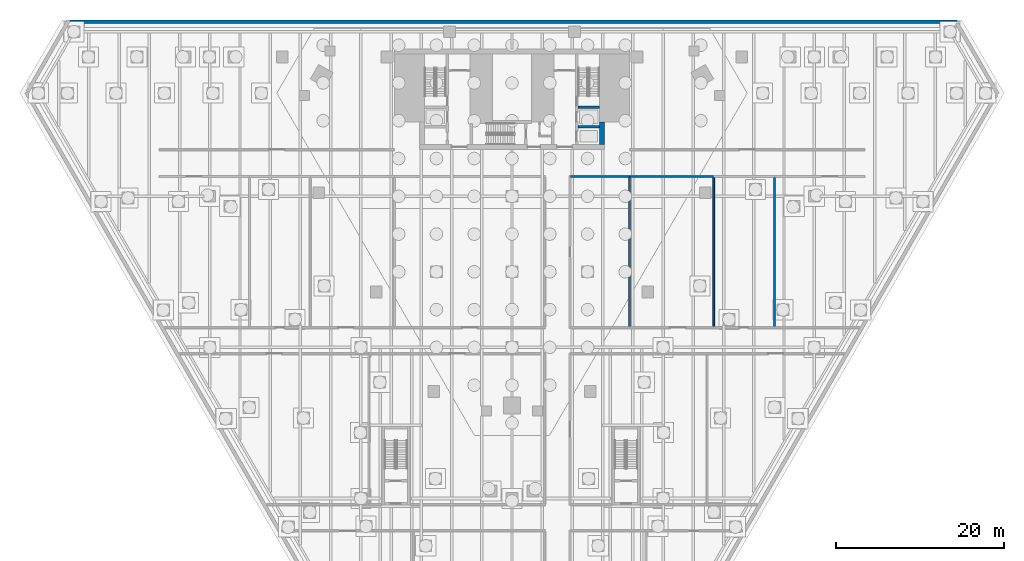
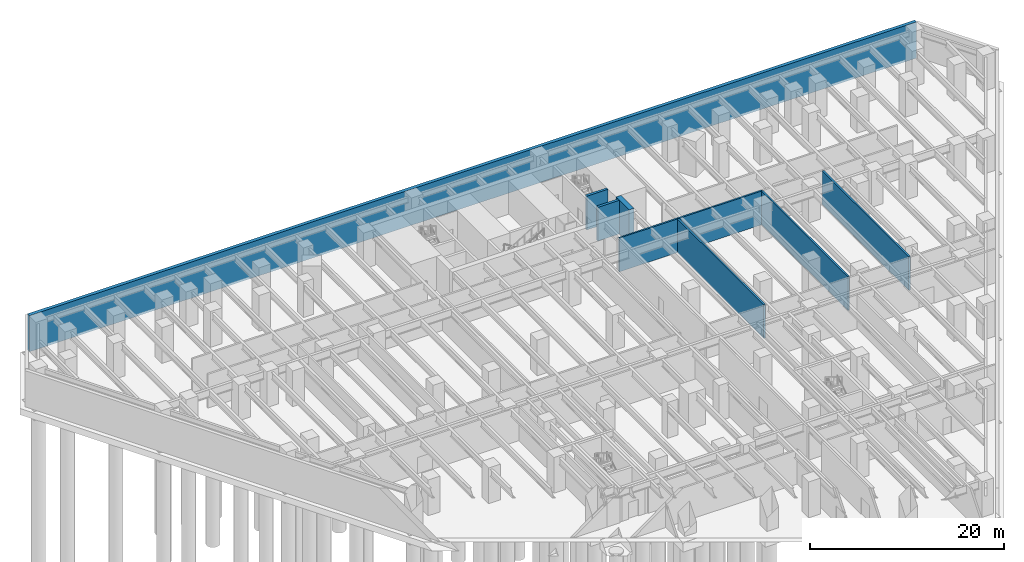
# One storey, part 13 of 18: 9 walls.
"""IFC4 building model written with IfcOpenShell, lengths in metres."""

import ifcopenshell
import ifcopenshell.guid

model = None  # the IFC model being written
_history = None  # IfcOwnerHistory: only IFC2X3 demands one
_inside = {}  # id of a spatial element -> (the spatial element, [elements in it])
_under = {}  # id of a project, library or spatial element -> (it, [spatial elements below it])
_declared = {}  # id of a project -> (the project, [libraries it declares])
_typed = {}  # id of a type object -> (the type object, [elements of that type])
_made_of = {}  # id of a material, layer set ... -> (it, [elements and type objects made of it])


def new_model(schema):
    """Start an empty IFC model of exactly this schema.

    Asked for "IFC4X3", IfcOpenShell would pick the latest addendum, in which some entities
    have other attributes; the version numbers below select the first issue.
    IFC2X3 requires an IfcOwnerHistory on every rooted entity: one is made here for all.
    """
    global model, _history
    if schema == "IFC4X3":
        model = ifcopenshell.file(schema_version=(4, 3, 0, 0))
    else:
        model = ifcopenshell.file(schema=schema)
    _inside.clear()
    _under.clear()
    _declared.clear()
    _typed.clear()
    _made_of.clear()
    _history = None
    if model.schema == "IFC2X3":
        org = make("IfcOrganization", Name="unknown")
        user = make(
            "IfcPersonAndOrganization",
            ThePerson=make("IfcPerson", FamilyName="unknown"),
            TheOrganization=org,
        )
        app = make(
            "IfcApplication",
            ApplicationDeveloper=org,
            Version="unknown",
            ApplicationFullName="unknown",
            ApplicationIdentifier="unknown",
        )
        _history = make(
            "IfcOwnerHistory",
            OwningUser=user,
            OwningApplication=app,
            ChangeAction="ADDED",
            CreationDate=0,
        )
    return model


def make(cls, **values):
    """One entity of the class cls with the attributes given. An attribute that is None is left unset."""
    return model.create_entity(
        cls, **{name: value for name, value in values.items() if value is not None}
    )


def rooted(cls, **values):
    """An entity with a GlobalId (a new one), such as an element, a storey or a relation."""
    return make(cls, GlobalId=ifcopenshell.guid.new(), OwnerHistory=_history, **values)


def si_unit(unit_type, name, prefix=None):
    """IfcSIUnit, for example si_unit("LENGTHUNIT", "METRE", prefix="MILLI")."""
    return make("IfcSIUnit", UnitType=unit_type, Prefix=prefix, Name=name)


def assignment(units):
    """IfcUnitAssignment: the units of a project."""
    return None if units is None else make("IfcUnitAssignment", Units=units)


def point(xyz):
    """IfcCartesianPoint."""
    return None if xyz is None else make("IfcCartesianPoint", Coordinates=xyz)


def direction(xyz):
    """IfcDirection."""
    return None if xyz is None else make("IfcDirection", DirectionRatios=xyz)


def frame(location, z_axis=None, x_axis=None):
    """IfcAxis2Placement3D, a coordinate frame: its origin and axes. An axis left out is left unset."""
    return make(
        "IfcAxis2Placement3D",
        Location=point(location),
        Axis=direction(z_axis),
        RefDirection=direction(x_axis),
    )


def frame_2d(location, x_axis=None):
    """IfcAxis2Placement2D, a coordinate frame in the plane: its origin and x axis."""
    return make(
        "IfcAxis2Placement2D", Location=point(location), RefDirection=direction(x_axis)
    )


def origin():
    """The frame at (0, 0, 0) with its axes left unset."""
    return frame((0.0, 0.0, 0.0))


def place(relative_to, where):
    """IfcLocalPlacement: puts the frame where relative to a parent placement (None: the world)."""
    return make(
        "IfcLocalPlacement", PlacementRelTo=relative_to, RelativePlacement=where
    )


def context(
    kind, dimensions, precision=None, world=None, true_north=None, identifier=None
):
    """IfcGeometricRepresentationContext, for example the 3D "Model" context."""
    return make(
        "IfcGeometricRepresentationContext",
        ContextIdentifier=identifier,
        ContextType=kind,
        CoordinateSpaceDimension=dimensions,
        Precision=precision,
        WorldCoordinateSystem=world,
        TrueNorth=true_north,
    )


def subcontext(parent, identifier, kind, view, scale=None):
    """IfcGeometricRepresentationSubContext, for example "Body" below "Model"."""
    return make(
        "IfcGeometricRepresentationSubContext",
        ContextIdentifier=identifier,
        ContextType=kind,
        ParentContext=parent,
        TargetScale=scale,
        TargetView=view,
    )


def project(units=None, contexts=None):
    """IfcProject with its units and contexts."""
    return rooted(
        "IfcProject",
        Name="project",
        RepresentationContexts=contexts,
        UnitsInContext=assignment(units),
    )


def spatial(cls, under=None, at=None, **own):
    """A site, building, storey or space (cls), placed at a placement, below another one or the project."""
    s = rooted(cls, ObjectPlacement=at, **own)
    if under is not None:
        _under.setdefault(under.id(), (under, []))[1].append(s)
    return s


def profile(cls, at=None, kind="AREA", **sizes):
    """A parametric profile (cls). Its sizes go by their IFC names, for example OverallWidth=200.0."""
    return make(cls, ProfileType=kind, Position=at, **sizes)


def rectangle(**sizes):
    """IfcRectangleProfileDef."""
    return profile("IfcRectangleProfileDef", **sizes)


def extrude(swept, where, along, depth):
    """IfcExtrudedAreaSolid: the profile swept, set in the frame where, extruded along a direction by depth."""
    return make(
        "IfcExtrudedAreaSolid",
        SweptArea=swept,
        Position=where,
        ExtrudedDirection=direction(along),
        Depth=depth,
    )


def shape(context_of_items, identifier, shape_type, items):
    """IfcShapeRepresentation: the items that make up one representation, for example the "Body"."""
    return make(
        "IfcShapeRepresentation",
        ContextOfItems=context_of_items,
        RepresentationIdentifier=identifier,
        RepresentationType=shape_type,
        Items=items,
    )


def material(Name=None, Category=None):
    """IfcMaterial."""
    return make("IfcMaterial", Name=Name, Category=Category)


def layer(
    of_material, thickness, ventilated=None, Name=None, Category=None, Priority=None
):
    """IfcMaterialLayer: one layer of a wall or slab, of a material (None: an air gap)."""
    return make(
        "IfcMaterialLayer",
        Material=of_material,
        LayerThickness=thickness,
        IsVentilated=ventilated,
        Name=Name,
        Category=Category,
        Priority=Priority,
    )


def layer_set(layers, Name=None):
    """IfcMaterialLayerSet."""
    return make("IfcMaterialLayerSet", MaterialLayers=layers, LayerSetName=Name)


def made_of(thing, what):
    """Note that an element or type object is made of a material, layer set ...; save() writes the relation."""
    if what is not None:
        _made_of.setdefault(what.id(), (what, []))[1].append(thing)
    return thing


def type_object(cls, material=None, **own):
    """A type object (cls), such as IfcWallType, which elements share."""
    return made_of(rooted(cls, **own), material)


def element(
    cls,
    number,
    at=None,
    inside=None,
    cuts=None,
    type_object=None,
    material=None,
    context=None,
    identifier="Body",
    shape_type=None,
    held_by="IfcProductDefinitionShape",
    body=None,
    shapes=None,
    **own,
):
    """One element of the class cls, such as IfcWall. Its Tag is "e" and its number.

    at: its placement. inside: the storey or other place that contains it. cuts: it is an
    opening in that element (IfcRelVoidsElement). A single representation is given by context,
    identifier, shape_type and body (its items); several are given by shapes. held_by: the class
    of the entity that holds the representations. save() writes the other relations.
    """
    e = rooted(cls, Tag="e%d" % number, ObjectPlacement=at, **own)
    if body is not None:
        shapes = [shape(context, identifier, shape_type, body)]
    if shapes is not None:
        e.Representation = make(held_by, Representations=shapes)
    if inside is not None:
        _inside.setdefault(inside.id(), (inside, []))[1].append(e)
    if cuts is not None:
        rooted(
            "IfcRelVoidsElement", RelatingBuildingElement=cuts, RelatedOpeningElement=e
        )
    if type_object is not None:
        _typed.setdefault(type_object.id(), (type_object, []))[1].append(e)
    return made_of(e, material)


def aggregate(whole, parts):
    """IfcRelAggregates: a whole, such as a stair, and the parts it consists of."""
    return rooted("IfcRelAggregates", RelatingObject=whole, RelatedObjects=parts)


def save(model, path):
    """Write the relations noted so far, then the file.

    IfcRelAggregates (storeys below a building ...), IfcRelContainedInSpatialStructure (elements
    in a storey), IfcRelDefinesByType, IfcRelAssociatesMaterial and IfcRelDeclares: one each for
    every whole, place, type object, material and project.
    """
    for whole, parts in _under.values():
        aggregate(whole, parts)
    for where, things in _inside.values():
        rooted(
            "IfcRelContainedInSpatialStructure",
            RelatedElements=things,
            RelatingStructure=where,
        )
    for kind, things in _typed.values():
        rooted("IfcRelDefinesByType", RelatedObjects=things, RelatingType=kind)
    for what, things in _made_of.values():
        rooted("IfcRelAssociatesMaterial", RelatedObjects=things, RelatingMaterial=what)
    for by, libraries in _declared.values():
        rooted("IfcRelDeclares", RelatingContext=by, RelatedDefinitions=libraries)
    model.write(path)


model = new_model("IFC4")

# Units and contexts
model_context = context("Model", 3, precision=1e-05, world=origin(), true_north=direction((0.0, 1.0)))
body_context = subcontext(model_context, "Body", "Model", "MODEL_VIEW")
ifc_project = project(units=[si_unit("LENGTHUNIT", "METRE"), si_unit("AREAUNIT", "SQUARE_METRE"), si_unit("VOLUMEUNIT", "CUBIC_METRE"), si_unit("PLANEANGLEUNIT", "RADIAN"), si_unit("MASSUNIT", "GRAM", prefix="KILO")], contexts=[model_context])

# Site, building, storey
site_placement = place(None, origin())
site = spatial("IfcSite", under=ifc_project, at=site_placement, CompositionType="ELEMENT")
building_placement = place(site_placement, origin())
building = spatial("IfcBuilding", under=site, at=building_placement, Name="Aloe Facet Convention Tower", CompositionType="ELEMENT")
storey_placement = place(building_placement, frame((0.0, 0.0, -9.0)))
storey = spatial("IfcBuildingStorey", under=building, at=storey_placement, Name="B2", CompositionType="ELEMENT", Elevation=-9.0)

# Walls
ifc_material_1 = material(Name="Concrete C80/95", Category="concrete")
ifc_layer_1 = layer(ifc_material_1, 0.300048828125)
ifc_layer_set_1 = layer_set([ifc_layer_1], Name="CR-W-RC300-C8095")
wall_type_1 = type_object("IfcWallType", Name="CR-W-RC300-C8095", PredefinedType="SOLIDWALL", material=ifc_layer_set_1)
for number, where, z_axis, x_axis, name in (
    (1, (87.85009765625, 127.60009765625, 0.0), (0.0, 0.0, 1.0), (1.0, 0.0, 0.0), "Core wall B2-019"),
    (2, (87.85009765625, 125.300048828125, 0.0), (0.0, 0.0, 1.0), (1.0, 0.0, 0.0), "Core wall B2-020"),
):
    element("IfcWall", number, at=place(storey_placement, frame(where, z_axis=z_axis, x_axis=x_axis)), inside=storey, type_object=wall_type_1, Name=name, PredefinedType="SOLIDWALL", context=body_context, shape_type="SweptSolid", body=[
        extrude(rectangle(XDim=2.5498046875, YDim=0.300048828125, at=frame_2d((1.27490234375, 0.0))), origin(), (0.0, 0.0, 1.0), 4.25),
    ])
ifc_material_2 = material(Name="Concrete C80/95", Category="concrete")
ifc_layer_2 = layer(ifc_material_2, 0.60009765625)
ifc_layer_set_2 = layer_set([ifc_layer_2], Name="CR-W-RC600-C8095")
wall_type_2 = type_object("IfcWallType", Name="CR-W-RC600-C8095", PredefinedType="SOLIDWALL", material=ifc_layer_set_2)
wall_1_placement = place(storey_placement, frame((90.699951171875, 125.85009765625, 0.0), z_axis=(0.0, 0.0, 1.0), x_axis=(0.0, -1.0, 0.0)))
element("IfcWall", 3, at=wall_1_placement, inside=storey, type_object=wall_type_2, Name="Core wall B2-022", PredefinedType="SOLIDWALL", context=body_context, shape_type="SweptSolid", body=[
    extrude(rectangle(XDim=2.7001953125, YDim=0.60009765625, at=frame_2d((1.35009765625, 0.0))), origin(), (0.0, 0.0, 1.0), 4.25),
])
ifc_material_3 = material(Name="Masonry blockwork wall, plastered", Category="masonry")
ifc_layer_3 = layer(ifc_material_3, 0.199951171875)
ifc_layer_set_3 = layer_set([ifc_layer_3], Name="IN-POD-W-PLANT")
wall_type_3 = type_object("IfcWallType", Name="IN-POD-W-PLANT", PredefinedType="PARTITIONING", material=ifc_layer_set_3)
for number, where, z_axis, x_axis, name in (
    (4, (94.0, 101.43505859375, 0.0), (0.0, 0.0, 1.0), (0.0, 1.0, 0.0), "Partition B2-W041"),
    (5, (104.033203125, 101.43505859375, 0.0), (0.0, 0.0, 1.0), (0.0, 1.0, 0.0), "Partition B2-W043"),
    (6, (111.2666015625, 101.43505859375, 0.0), (0.0, 0.0, 1.0), (0.0, 1.0, 0.0), "Partition B2-W045"),
):
    element("IfcWall", number, at=place(storey_placement, frame(where, z_axis=z_axis, x_axis=x_axis)), inside=storey, type_object=wall_type_3, Name=name, PredefinedType="PARTITIONING", context=body_context, shape_type="SweptSolid", body=[
        extrude(rectangle(XDim=17.829833984375, YDim=0.199951171875, at=frame_2d((8.9150390625, 0.0))), origin(), (0.0, 0.0, 1.0), 4.25),
    ])
wall_2_placement = place(storey_placement, frame((86.985107421875, 119.35009765625, 0.0), z_axis=(0.0, 0.0, 1.0), x_axis=(1.0, 0.0, 0.0)))
element("IfcWall", 7, at=wall_2_placement, inside=storey, type_object=wall_type_3, Name="Partition B2-W052", PredefinedType="PARTITIONING", context=body_context, shape_type="SweptSolid", body=[
    extrude(rectangle(XDim=7.014892578125, YDim=0.199951171875, at=frame_2d((3.50732421875, 0.0))), origin(), (0.0, 0.0, 1.0), 4.25),
])
wall_3_placement = place(storey_placement, frame((94.0, 119.35009765625, 0.0), z_axis=(0.0, 0.0, 1.0), x_axis=(1.0, 0.0, 0.0)))
element("IfcWall", 8, at=wall_3_placement, inside=storey, type_object=wall_type_3, Name="Partition B2-W053", PredefinedType="PARTITIONING", context=body_context, shape_type="SweptSolid", body=[
    extrude(rectangle(XDim=10.033203125, YDim=0.199951171875, at=frame_2d((5.0166015625, 0.0))), origin(), (0.0, 0.0, 1.0), 4.25),
])
ifc_material_4 = material(Name="Concrete C40/50", Category="concrete")
ifc_layer_4 = layer(ifc_material_4, 0.39990234375)
ifc_layer_set_4 = layer_set([ifc_layer_4], Name="SF-RW-400")
wall_type_4 = type_object("IfcWallType", Name="SF-RW-400", PredefinedType="SOLIDWALL", material=ifc_layer_set_4)
wall_4_placement = place(storey_placement, frame((27.3408203125, 137.800048828125, -0.300048828125), z_axis=(0.0, 0.0, 1.0), x_axis=(1.0, 0.0, 0.0)))
element("IfcWall", 9, at=wall_4_placement, inside=storey, type_object=wall_type_4, Name="RETAINING WALL B2-05", PredefinedType="SOLIDWALL", context=body_context, shape_type="SweptSolid", body=[
    extrude(rectangle(XDim=105.65869140625, YDim=0.39990234375, at=frame_2d((52.829345703125, 0.0))), origin(), (0.0, 0.0, 1.0), 4.550048828125),
])

save(model, "model.ifc")
